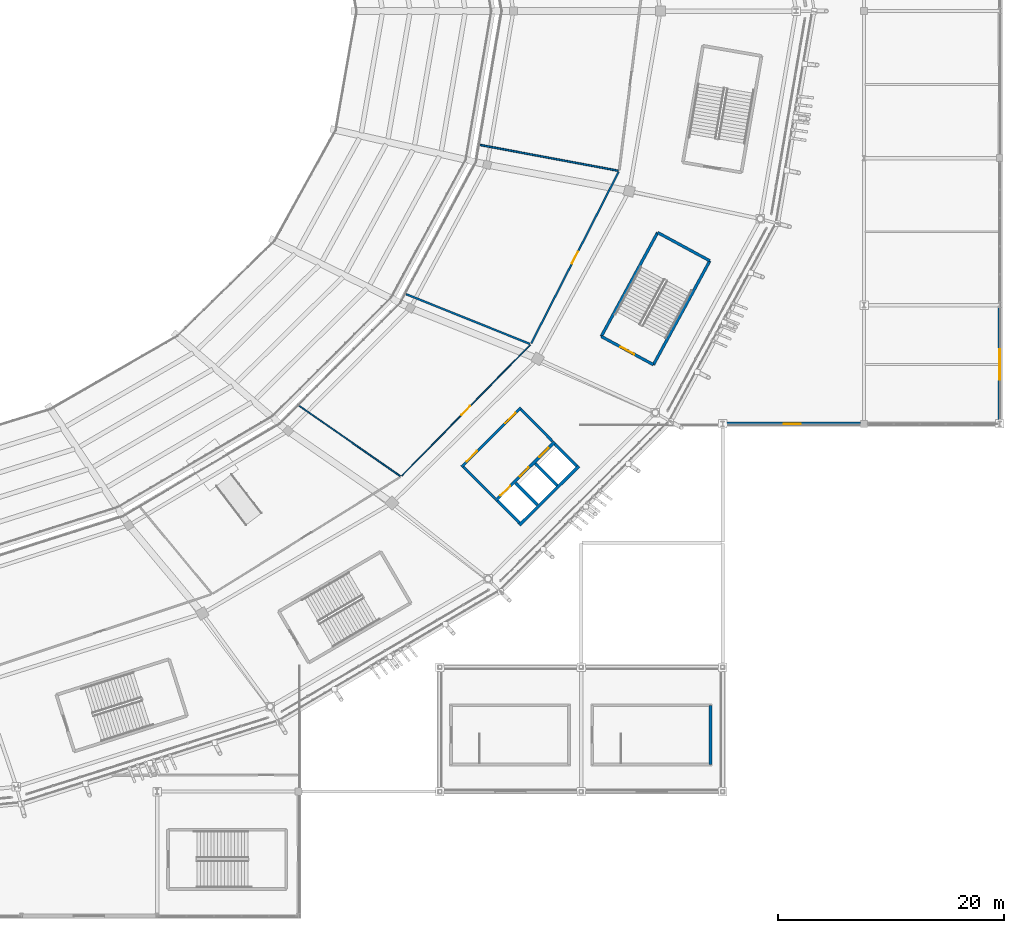
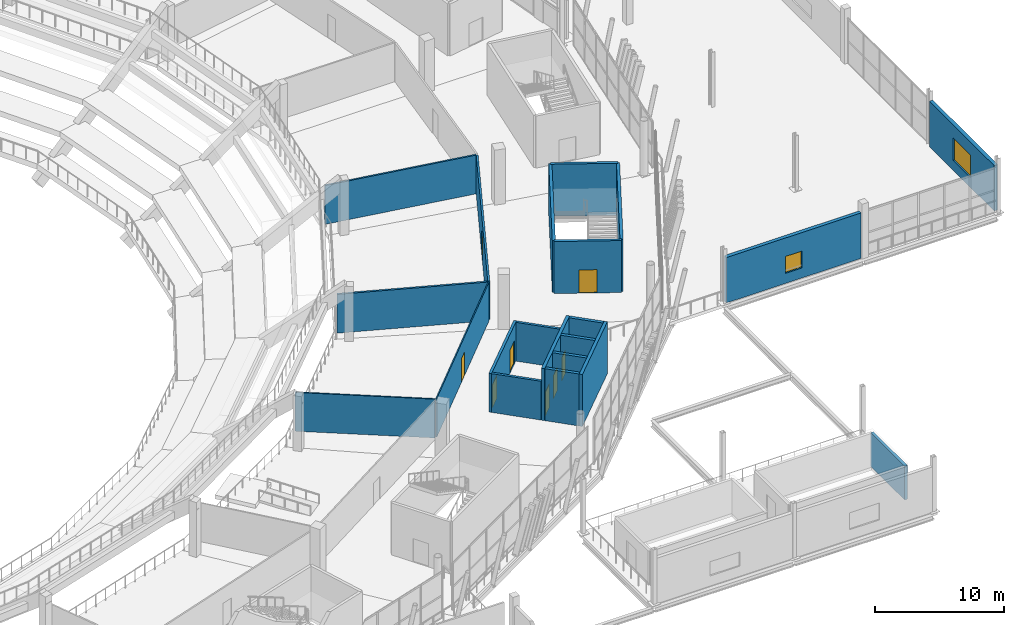
# One storey, part 127 of 178: 21 walls, 8 doors, 2 windows, 10 openings.
"""IFC4 building model written with IfcOpenShell, lengths in metres."""

from ifc_helpers import new_model, si_unit, direction, frame, frame_2d, origin, place, context, subcontext, project, spatial, rectangle, extrude, material, layer, layer_set, type_object, element, fill, save


model = new_model("IFC4")

# Units and contexts
model_context = context("Model", 3, precision=1e-05, world=origin(), true_north=direction((0.0, 1.0)))
body_context = subcontext(model_context, "Body", "Model", "MODEL_VIEW")
ifc_project = project(units=[si_unit("LENGTHUNIT", "METRE"), si_unit("AREAUNIT", "SQUARE_METRE"), si_unit("VOLUMEUNIT", "CUBIC_METRE"), si_unit("PLANEANGLEUNIT", "RADIAN"), si_unit("MASSUNIT", "GRAM", prefix="KILO")], contexts=[model_context])

# Site, building, storey
site_placement = place(None, origin())
site = spatial("IfcSite", under=ifc_project, at=site_placement, CompositionType="ELEMENT")
building_placement = place(site_placement, origin())
building = spatial("IfcBuilding", under=site, at=building_placement, Name="Zlatoyarsky Gate Stadium", CompositionType="ELEMENT")
storey_placement = place(building_placement, frame((0.0, 0.0, 5.39990234375)))
storey = spatial("IfcBuildingStorey", under=building, at=storey_placement, Name="L01", CompositionType="ELEMENT", Elevation=5.39990234375)

# Walls
ifc_material_1 = material(Name="Double-stud acoustic gypsum partition", Category="gypsum")
ifc_layer_1 = layer(ifc_material_1, 0.169921875)
ifc_layer_set_1 = layer_set([ifc_layer_1], Name="Double-stud acoustic gypsum partition")
wall_type_1 = type_object("IfcWallType", Name="ACOUSTIC BROADCAST STUDIO WALL 170", PredefinedType="PARTITIONING", material=ifc_layer_set_1)
wall_1_placement = place(storey_placement, frame((169.51171875, 54.970947265625, 0.0), z_axis=(0.0, 0.0, 1.0), x_axis=(0.927904861535, -0.372817070343, 0.0)))
element("IfcWall", 1, at=wall_1_placement, inside=storey, type_object=wall_type_1, Name="L01 interior partition PRT-L01-IRD-22", PredefinedType="PARTITIONING", context=body_context, shape_type="SweptSolid", body=[
    extrude(rectangle(XDim=11.800537109375, YDim=0.169921875, at=frame_2d((5.900390625, 0.0))), origin(), (0.0, 0.0, 1.0), 3.670166015625),
])
ifc_material_2 = material(Name="Anodised aluminium acoustic operable wall", Category="aluminium")
ifc_layer_2 = layer(ifc_material_2, 0.114990234375)
ifc_layer_set_2 = layer_set([ifc_layer_2], Name="Anodised aluminium acoustic operable wall")
wall_type_2 = type_object("IfcWallType", Name="ACOUSTIC OPERABLE SUITE WALL 115", PredefinedType="MOVABLE", material=ifc_layer_set_2)
wall_2_placement = place(storey_placement, frame((160.05517578125, 45.108154296875, 0.0), z_axis=(0.0, 0.0, 1.0), x_axis=(0.82067943368, -0.571388893079, 0.0)))
element("IfcWall", 2, at=wall_2_placement, inside=storey, type_object=wall_type_2, Name="L01 interior partition PRT-L01-IRD-21", PredefinedType="MOVABLE", context=body_context, shape_type="SweptSolid", body=[
    extrude(rectangle(XDim=10.891357421875, YDim=0.114990234375, at=frame_2d((5.44580078125, 0.0))), origin(), (0.0, 0.0, 1.0), 3.670166015625),
])
ifc_material_3 = material(Name="Metal-stud gypsum partition", Category="gypsum")
ifc_layer_3 = layer(ifc_material_3, 0.14990234375)
ifc_layer_set_3 = layer_set([ifc_layer_3], Name="Metal-stud gypsum partition")
wall_type_3 = type_object("IfcWallType", Name="CONCOURSE CORRIDOR PARTITION 150", PredefinedType="PARTITIONING", material=ifc_layer_set_3)
wall_3_placement = place(storey_placement, frame((176.04248046875, 68.162353515625, 0.0), z_axis=(0.0, 0.0, 1.0), x_axis=(0.983059999048, -0.183284037143, 0.0)))
element("IfcWall", 3, at=wall_3_placement, inside=storey, type_object=wall_type_3, Name="L01 interior partition PRT-L01-IRD-23", PredefinedType="PARTITIONING", context=body_context, shape_type="SweptSolid", body=[
    extrude(rectangle(XDim=12.4306640625, YDim=0.14990234375, at=frame_2d((6.21533203125, 0.0))), origin(), (0.0, 0.0, 1.0), 3.670166015625),
])
ifc_material_4 = material(Name="Concrete C40/50", Category="concrete")
ifc_layer_4 = layer(ifc_material_4, 0.27001953125)
ifc_layer_set_4 = layer_set([ifc_layer_4], Name="Concrete C40/50")
wall_type_4 = type_object("IfcWallType", Name="CONCRETE LIFT SHAFT SHEAR WALL 270", PredefinedType="SHEAR", material=ifc_layer_set_4)
wall_4_placement = place(storey_placement, frame((179.547119140625, 34.556396484375, 0.0), z_axis=(0.0, 0.0, 1.0), x_axis=(0.708902567846, 0.705306422274, 0.0)))
element("IfcWall", 4, at=wall_4_placement, inside=storey, type_object=wall_type_4, Name="C4 L01 lift shaft rear wall", PredefinedType="SHEAR", context=body_context, shape_type="SweptSolid", body=[
    extrude(rectangle(XDim=7.39990234375, YDim=0.27001953125, at=frame_2d((3.699951171875, 0.0))), origin(), (0.0, 0.0, 1.0), 4.920166015625),
])
for number, where, z_axis, x_axis, name in (
    (5, (179.54052734375, 34.75439453125, 0.0), (0.0, 0.0, 1.0), (-0.705322518225, 0.708886553183, 0.0), "C4 L01 lift shaft left wall"),
    (6, (184.594970703125, 39.783203125, 0.0), (0.0, 0.0, 1.0), (-0.705322518225, 0.708886553183, 0.0), "C4 L01 lift shaft right wall"),
    (7, (181.12841796875, 36.334228515625, 0.0), (0.0, 0.0, 1.0), (-0.705322518225, 0.708886553183, 0.0), "C4 L01 lift shaft divider 1"),
    (8, (182.865234375, 38.062255859375, 0.0), (0.0, 0.0, 1.0), (-0.705322518225, 0.708886553183, 0.0), "C4 L01 lift shaft divider 2"),
):
    element("IfcWall", number, at=place(storey_placement, frame(where, z_axis=z_axis, x_axis=x_axis)), inside=storey, type_object=wall_type_4, Name=name, PredefinedType="SHEAR", context=body_context, shape_type="SweptSolid", body=[
        extrude(rectangle(XDim=2.739990234375, YDim=0.27001953125, at=frame_2d((1.3701171875, 0.0))), origin(), (0.0, 0.0, 1.0), 4.920166015625),
    ])

# Wall, openings, doors
wall_5_placement = place(storey_placement, frame((177.409912109375, 36.704345703125, 0.0), z_axis=(0.0, 0.0, 1.0), x_axis=(0.708918979457, 0.705289926602, 0.0)))
wall_5 = element("IfcWall", 9, at=wall_5_placement, inside=storey, type_object=wall_type_4, Name="C4 L01 lift landing front wall", PredefinedType="SHEAR", context=body_context, shape_type="SweptSolid", body=[
    extrude(rectangle(XDim=7.400146484375, YDim=0.27001953125, at=frame_2d((3.7001953125, 0.0))), origin(), (0.0, 0.0, 1.0), 4.920166015625),
])
opening_1_placement = place(wall_5_placement, frame((0.64990234375, 0.0, 0.0)))
opening_1 = element("IfcOpeningElement", 10, at=opening_1_placement, cuts=wall_5, Name="Opening LD-FL-04-L01", PredefinedType="OPENING", context=body_context, shape_type="SweptSolid", body=[
    extrude(rectangle(XDim=1.199951171875, YDim=2.25, at=frame_2d((0.60009765625, 1.125))), frame((0.0, 0.14501953125, 0.0), z_axis=(0.0, -1.0, 0.0), x_axis=(1.0, 0.0, 0.0)), (0.0, 0.0, 1.0), 0.2900390625),
])
opening_2_placement = place(wall_5_placement, frame((3.050048828125, 0.0, 0.0)))
opening_2 = element("IfcOpeningElement", 11, at=opening_2_placement, cuts=wall_5, Name="Opening LD-LF-07-L01", PredefinedType="OPENING", context=body_context, shape_type="SweptSolid", body=[
    extrude(rectangle(XDim=1.10009765625, YDim=2.199951171875, at=frame_2d((0.550048828125, 1.10009765625))), frame((0.0, 0.14501953125, 0.0), z_axis=(0.0, -1.0, 0.0), x_axis=(1.0, 0.0, 0.0)), (0.0, 0.0, 1.0), 0.2900390625),
])
opening_3_placement = place(wall_5_placement, frame((5.5, 0.0, 0.0)))
opening_3 = element("IfcOpeningElement", 12, at=opening_3_placement, cuts=wall_5, Name="Opening LD-LF-08-L01", PredefinedType="OPENING", context=body_context, shape_type="SweptSolid", body=[
    extrude(rectangle(XDim=1.10009765625, YDim=2.199951171875, at=frame_2d((0.550048828125, 1.10009765625))), frame((0.0, 0.14501953125, 0.0), z_axis=(0.0, -1.0, 0.0), x_axis=(1.0, 0.0, 0.0)), (0.0, 0.0, 1.0), 0.2900390625),
])
ifc_material_5 = material(Name="Powder-coated steel fire door", Category="steel")
door_type_1 = type_object("IfcDoorType", Name="STAINLESS LIFT LANDING SLIDING DOOR 1100X2200", OperationType="DOUBLE_DOOR_SLIDING", PredefinedType="DOOR", material=ifc_material_5)
door_1_placement = place(opening_2_placement, origin())
door_1 = element("IfcDoor", 13, at=door_1_placement, inside=storey, type_object=door_type_1, Name="Lift LF-07 L01 sliding landing door", OperationType="DOUBLE_DOOR_SLIDING", OverallHeight=2.199951171875, OverallWidth=1.10009765625, PredefinedType="DOOR", context=body_context, shape_type="SweptSolid", body=[
    extrude(rectangle(XDim=1.10009765625, YDim=2.199951171875, at=frame_2d((0.550048828125, 1.10009765625))), frame((0.0, 0.02490234375, 0.0), z_axis=(0.0, -1.0, 0.0), x_axis=(1.0, 0.0, 0.0)), (0.0, 0.0, 1.0), 0.050048828125),
])
fill(opening_2, door_1)
door_2_placement = place(opening_3_placement, origin())
door_2 = element("IfcDoor", 14, at=door_2_placement, inside=storey, type_object=door_type_1, Name="Lift LF-08 L01 sliding landing door", OperationType="DOUBLE_DOOR_SLIDING", OverallHeight=2.199951171875, OverallWidth=1.10009765625, PredefinedType="DOOR", context=body_context, shape_type="SweptSolid", body=[
    extrude(rectangle(XDim=1.10009765625, YDim=2.199951171875, at=frame_2d((0.550048828125, 1.10009765625))), frame((0.0, 0.02490234375, 0.0), z_axis=(0.0, -1.0, 0.0), x_axis=(1.0, 0.0, 0.0)), (0.0, 0.0, 1.0), 0.050048828125),
])
fill(opening_3, door_2)
door_type_2 = type_object("IfcDoorType", Name="STAINLESS LIFT LANDING SLIDING DOOR 1200X2250", OperationType="DOUBLE_DOOR_SLIDING", PredefinedType="DOOR", material=ifc_material_5)
door_3_placement = place(opening_1_placement, origin())
door_3 = element("IfcDoor", 15, at=door_3_placement, inside=storey, type_object=door_type_2, Name="Lift FL-04 L01 sliding landing door", OperationType="DOUBLE_DOOR_SLIDING", OverallHeight=2.25, OverallWidth=1.199951171875, PredefinedType="DOOR", context=body_context, shape_type="SweptSolid", body=[
    extrude(rectangle(XDim=1.199951171875, YDim=2.25, at=frame_2d((0.60009765625, 1.125))), frame((0.0, 0.02490234375, 0.0), z_axis=(0.0, -1.0, 0.0), x_axis=(1.0, 0.0, 0.0)), (0.0, 0.0, 1.0), 0.050048828125),
])
fill(opening_1, door_3)

# Wall, opening, door
ifc_layer_5 = layer(ifc_material_4, 0.25)
ifc_layer_set_5 = layer_set([ifc_layer_5], Name="Concrete C40/50")
wall_type_5 = type_object("IfcWallType", Name="CONCRETE STAIR CORE SHEAR WALL 250", PredefinedType="SHEAR", material=ifc_layer_set_5)
wall_6_placement = place(storey_placement, frame((186.770263671875, 51.235107421875, 0.0), z_axis=(0.0, 0.0, 1.0), x_axis=(0.878941993928, -0.476928685769, 0.0)))
wall_6 = element("IfcWall", 16, at=wall_6_placement, inside=storey, type_object=wall_type_5, Name="ST-12 L01 stair core entrance shear wall", PredefinedType="SHEAR", context=body_context, shape_type="SweptSolid", body=[
    extrude(rectangle(XDim=5.25, YDim=0.25, at=frame_2d((2.625, 0.0))), origin(), (0.0, 0.0, 1.0), 4.920166015625),
])
opening_4_placement = place(wall_6_placement, frame((1.925048828125, 0.0, 0.0)))
opening_4 = element("IfcOpeningElement", 17, at=opening_4_placement, cuts=wall_6, Name="Opening SD-ST-12-L01", PredefinedType="OPENING", context=body_context, shape_type="SweptSolid", body=[
    extrude(rectangle(XDim=1.39990234375, YDim=2.199951171875, at=frame_2d((0.699951171875, 1.10009765625))), frame((0.0, 0.135009765625, 0.0), z_axis=(0.0, -1.0, 0.0), x_axis=(1.0, 0.0, 0.0)), (0.0, 0.0, 1.0), 0.27001953125),
])
door_type_3 = type_object("IfcDoorType", Name="STAIR CORE FIRE EXIT DOOR 1400X2200", OperationType="NOTDEFINED", PredefinedType="DOOR", material=ifc_material_5)
door_4_placement = place(opening_4_placement, frame((1.39990234375, 0.0, 0.0), z_axis=(0.0, 0.0, 1.0), x_axis=(-1.0, 0.0, 0.0)))
door_4 = element("IfcDoor", 18, at=door_4_placement, inside=storey, type_object=door_type_3, Name="ST-12 L01 stair fire door", OperationType="SINGLE_SWING_RIGHT", OverallHeight=2.199951171875, OverallWidth=1.39990234375, PredefinedType="DOOR", context=body_context, shape_type="SweptSolid", body=[
    extrude(rectangle(XDim=1.39990234375, YDim=2.199951171875, at=frame_2d((0.699951171875, 1.10009765625))), frame((0.0, 0.02490234375, 0.0), z_axis=(0.0, -1.0, 0.0), x_axis=(1.0, 0.0, 0.0)), (0.0, 0.0, 1.0), 0.050048828125),
])
fill(opening_4, door_4)

# Walls
wall_7_placement = place(storey_placement, frame((191.384765625, 48.731201171875, 0.0), z_axis=(0.0, 0.0, 1.0), x_axis=(0.476876856974, 0.878970115125, 0.0)))
element("IfcWall", 19, at=wall_7_placement, inside=storey, type_object=wall_type_5, Name="ST-12 L01 stair core left shear wall", PredefinedType="SHEAR", context=body_context, shape_type="SweptSolid", body=[
    extrude(rectangle(XDim=10.4501953125, YDim=0.25, at=frame_2d((5.22509765625, 0.0))), origin(), (0.0, 0.0, 1.0), 4.920166015625),
])
wall_8_placement = place(storey_placement, frame((196.3681640625, 57.91650390625, 0.0), z_axis=(0.0, 0.0, 1.0), x_axis=(-0.878961487093, 0.47689275965, 0.0)))
element("IfcWall", 20, at=wall_8_placement, inside=storey, type_object=wall_type_5, Name="ST-12 L01 stair core far shear wall", PredefinedType="SHEAR", context=body_context, shape_type="SweptSolid", body=[
    extrude(rectangle(XDim=5.25, YDim=0.25, at=frame_2d((2.625, 0.0))), origin(), (0.0, 0.0, 1.0), 4.920166015625),
])
wall_9_placement = place(storey_placement, frame((191.753662109375, 60.420166015625, 0.0), z_axis=(0.0, 0.0, 1.0), x_axis=(-0.476886649814, -0.878964802042, 0.0)))
element("IfcWall", 21, at=wall_9_placement, inside=storey, type_object=wall_type_5, Name="ST-12 L01 stair core right shear wall", PredefinedType="SHEAR", context=body_context, shape_type="SweptSolid", body=[
    extrude(rectangle(XDim=10.449951171875, YDim=0.25, at=frame_2d((5.22509765625, 0.0))), origin(), (0.0, 0.0, 1.0), 4.920166015625),
])
wall_10_placement = place(storey_placement, frame((196.425048828125, 13.375, 0.0), z_axis=(0.0, 0.0, 1.0), x_axis=(0.0, 1.0, 0.0)))
element("IfcWall", 22, at=wall_10_placement, inside=storey, type_object=wall_type_5, Name="ST-24 L01 stair core far shear wall", PredefinedType="SHEAR", context=body_context, shape_type="SweptSolid", body=[
    extrude(rectangle(XDim=5.25, YDim=0.25, at=frame_2d((2.625, 0.0))), origin(), (0.0, 0.0, 1.0), 3.2001953125),
])
ifc_material_6 = material(Name="Autoclaved aerated concrete masonry EI 120", Category="masonry")
ifc_layer_6 = layer(ifc_material_6, 0.219970703125)
ifc_layer_set_6 = layer_set([ifc_layer_6], Name="Autoclaved aerated concrete masonry EI 120")
wall_type_6 = type_object("IfcWallType", Name="FIREFIGHTING LOBBY RATED WALL 220", PredefinedType="PARTITIONING", material=ifc_layer_set_6)
for number, where, z_axis, x_axis, name in (
    (23, (177.378662109375, 36.8916015625, 0.0), (0.0, 0.0, 1.0), (-0.705294916294, 0.708914015273, 0.0), "C4 L01 firefighting lobby left wall"),
    (24, (182.468505859375, 41.955810546875, 0.0), (0.0, 0.0, 1.0), (-0.705294916294, 0.708914015273, 0.0), "C4 L01 firefighting lobby right wall"),
):
    element("IfcWall", number, at=place(storey_placement, frame(where, z_axis=z_axis, x_axis=x_axis)), inside=storey, type_object=wall_type_6, Name=name, PredefinedType="PARTITIONING", context=body_context, shape_type="SweptSolid", body=[
        extrude(rectangle(XDim=3.97998046875, YDim=0.219970703125, at=frame_2d((1.989990234375, 0.0))), origin(), (0.0, 0.0, 1.0), 3.670166015625),
    ])

# Wall, openings, doors
wall_11_placement = place(storey_placement, frame((174.416015625, 39.713623046875, 0.0), z_axis=(0.0, 0.0, 1.0), x_axis=(0.708902567846, 0.705306422274, 0.0)))
wall_11 = element("IfcWall", 25, at=wall_11_placement, inside=storey, type_object=wall_type_6, Name="C4 L01 firefighting lobby front wall", PredefinedType="PARTITIONING", context=body_context, shape_type="SweptSolid", body=[
    extrude(rectangle(XDim=7.39990234375, YDim=0.219970703125, at=frame_2d((3.699951171875, 0.0))), origin(), (0.0, 0.0, 1.0), 3.670166015625),
])
opening_5_placement = place(wall_11_placement, frame((0.64990234375, 0.0, 0.0)))
opening_5 = element("IfcOpeningElement", 26, at=opening_5_placement, cuts=wall_11, Name="Opening FD-C4-L01-A", PredefinedType="OPENING", context=body_context, shape_type="SweptSolid", body=[
    extrude(rectangle(XDim=1.300048828125, YDim=2.199951171875, at=frame_2d((0.64990234375, 1.10009765625))), frame((0.0, 0.119873046875, 0.0), z_axis=(0.0, -1.0, 0.0), x_axis=(1.0, 0.0, 0.0)), (0.0, 0.0, 1.0), 0.239990234375),
])
opening_6_placement = place(wall_11_placement, frame((5.449951171875, 0.0, 0.0)))
opening_6 = element("IfcOpeningElement", 27, at=opening_6_placement, cuts=wall_11, Name="Opening FD-C4-L01-B", PredefinedType="OPENING", context=body_context, shape_type="SweptSolid", body=[
    extrude(rectangle(XDim=1.300048828125, YDim=2.199951171875, at=frame_2d((0.64990234375, 1.10009765625))), frame((0.0, 0.119873046875, 0.0), z_axis=(0.0, -1.0, 0.0), x_axis=(1.0, 0.0, 0.0)), (0.0, 0.0, 1.0), 0.239990234375),
])
door_type_4 = type_object("IfcDoorType", Name="FIREFIGHTING LOBBY FIRE DOOR 1300X2200", OperationType="NOTDEFINED", PredefinedType="DOOR", material=ifc_material_5)
door_5_placement = place(opening_5_placement, origin())
door_5 = element("IfcDoor", 28, at=door_5_placement, inside=storey, type_object=door_type_4, Name="C4 L01 firefighting lobby fire door FD-C4-L01-A", OperationType="SINGLE_SWING_LEFT", OverallHeight=2.199951171875, OverallWidth=1.300048828125, PredefinedType="DOOR", context=body_context, shape_type="SweptSolid", body=[
    extrude(rectangle(XDim=1.300048828125, YDim=2.199951171875, at=frame_2d((0.64990234375, 1.10009765625))), frame((0.0, 0.02490234375, 0.0), z_axis=(0.0, -1.0, 0.0), x_axis=(1.0, 0.0, 0.0)), (0.0, 0.0, 1.0), 0.050048828125),
])
fill(opening_5, door_5)
door_6_placement = place(opening_6_placement, origin())
door_6 = element("IfcDoor", 29, at=door_6_placement, inside=storey, type_object=door_type_4, Name="C4 L01 firefighting lobby fire door FD-C4-L01-B", OperationType="SINGLE_SWING_RIGHT", OverallHeight=2.199951171875, OverallWidth=1.300048828125, PredefinedType="DOOR", context=body_context, shape_type="SweptSolid", body=[
    extrude(rectangle(XDim=1.300048828125, YDim=2.199951171875, at=frame_2d((0.64990234375, 1.10009765625))), frame((0.0, 0.02490234375, 0.0), z_axis=(0.0, -1.0, 0.0), x_axis=(1.0, 0.0, 0.0)), (0.0, 0.0, 1.0), 0.050048828125),
])
fill(opening_6, door_6)

# Wall, opening, door
ifc_material_7 = material(Name="Timber-veneered acoustic operable partition", Category="wood")
ifc_layer_7 = layer(ifc_material_7, 0.094970703125)
ifc_layer_set_7 = layer_set([ifc_layer_7], Name="Timber-veneered acoustic operable partition")
wall_type_7 = type_object("IfcWallType", Name="FOLDING BANQUET SALON WALL 95", PredefinedType="MOVABLE", material=ifc_layer_set_7)
wall_12_placement = place(storey_placement, frame((169.122802734375, 38.897216796875, 0.0), z_axis=(0.0, 0.0, 1.0), x_axis=(0.700172522452, 0.713973696157, 0.0)))
wall_12 = element("IfcWall", 30, at=wall_12_placement, inside=storey, type_object=wall_type_7, Name="L01 interior partition PRT-L01-ICC-21", PredefinedType="MOVABLE", context=body_context, shape_type="SweptSolid", body=[
    extrude(rectangle(XDim=16.2216796875, YDim=0.094970703125, at=frame_2d((8.11083984375, 0.0))), origin(), (0.0, 0.0, 1.0), 3.670166015625),
])
opening_7_placement = place(wall_12_placement, frame((7.57080078125, 0.0, 0.0)))
opening_7 = element("IfcOpeningElement", 31, at=opening_7_placement, cuts=wall_12, Name="Opening D-L01-269", PredefinedType="OPENING", context=body_context, shape_type="SweptSolid", body=[
    extrude(rectangle(XDim=1.080078125, YDim=2.239990234375, at=frame_2d((0.5400390625, 1.1201171875))), frame((0.0, 0.057373046875, 0.0), z_axis=(0.0, -1.0, 0.0), x_axis=(1.0, 0.0, 0.0)), (0.0, 0.0, 1.0), 0.114990234375),
])
ifc_material_8 = material(Name="Solid-core oak veneer acoustic door", Category="wood")
door_type_5 = type_object("IfcDoorType", Name="ACOUSTIC INTERIOR DOOR 1080X2240", OperationType="NOTDEFINED", PredefinedType="DOOR", material=ifc_material_8)
door_7_placement = place(opening_7_placement, origin())
door_7 = element("IfcDoor", 32, at=door_7_placement, inside=storey, type_object=door_type_5, Name="L01 room door D-L01-269", OperationType="SINGLE_SWING_RIGHT", OverallHeight=2.239990234375, OverallWidth=1.080078125, PredefinedType="DOOR", context=body_context, shape_type="SweptSolid", body=[
    extrude(rectangle(XDim=1.080078125, YDim=2.239990234375, at=frame_2d((0.5400390625, 1.1201171875))), frame((0.0, 0.02490234375, 0.0), z_axis=(0.0, -1.0, 0.0), x_axis=(1.0, 0.0, 0.0)), (0.0, 0.0, 1.0), 0.050048828125),
])
fill(opening_7, door_7)

ifc_material_9 = material(Name="Acoustic metal-stud gypsum partition", Category="gypsum")
ifc_layer_8 = layer(ifc_material_9, 0.159912109375)
ifc_layer_set_8 = layer_set([ifc_layer_8], Name="Acoustic metal-stud gypsum partition")
wall_type_8 = type_object("IfcWallType", Name="HOSPITALITY SUITE PARTITION 160", PredefinedType="PARTITIONING", material=ifc_layer_set_8)
wall_13_placement = place(storey_placement, frame((180.578857421875, 50.615478515625, 0.0), z_axis=(0.0, 0.0, 1.0), x_axis=(0.453783837631, 0.891111793606, 0.0)))
wall_13 = element("IfcWall", 33, at=wall_13_placement, inside=storey, type_object=wall_type_8, Name="L01 vomitory portal wall PRT-L01-ICC-22", PredefinedType="PARTITIONING", context=body_context, shape_type="SweptSolid", body=[
    extrude(rectangle(XDim=17.03173828125, YDim=0.159912109375, at=frame_2d((8.515869140625, 0.0))), origin(), (0.0, 0.0, 1.0), 3.670166015625),
])
opening_8_placement = place(wall_13_placement, frame((7.935791015625, 0.0, 0.0)))
opening_8 = element("IfcOpeningElement", 34, at=opening_8_placement, cuts=wall_13, Name="Opening D-L01-271", PredefinedType="OPENING", context=body_context, shape_type="SweptSolid", body=[
    extrude(rectangle(XDim=1.159912109375, YDim=2.239990234375, at=frame_2d((0.580078125, 1.1201171875))), frame((0.0, 0.08984375, 0.0), z_axis=(0.0, -1.0, 0.0), x_axis=(1.0, 0.0, 0.0)), (0.0, 0.0, 1.0), 0.179931640625),
])
door_type_6 = type_object("IfcDoorType", Name="ACOUSTIC INTERIOR DOOR 1160X2240", OperationType="NOTDEFINED", PredefinedType="DOOR", material=ifc_material_5)
door_8_placement = place(opening_8_placement, origin())
door_8 = element("IfcDoor", 35, at=door_8_placement, inside=storey, type_object=door_type_6, Name="L01 vomitory portal door D-L01-271", OperationType="SINGLE_SWING_LEFT", OverallHeight=2.239990234375, OverallWidth=1.159912109375, PredefinedType="DOOR", context=body_context, shape_type="SweptSolid", body=[
    extrude(rectangle(XDim=1.159912109375, YDim=2.239990234375, at=frame_2d((0.580078125, 1.1201171875))), frame((0.0, 0.02490234375, 0.0), z_axis=(0.0, -1.0, 0.0), x_axis=(1.0, 0.0, 0.0)), (0.0, 0.0, 1.0), 0.050048828125),
])
fill(opening_8, door_8)

# Wall, opening, window
ifc_material_10 = material(Name="Precast concrete C40/50 architectural panel", Category="concrete")
ifc_layer_9 = layer(ifc_material_10, 0.320068359375)
ifc_layer_set_9 = layer_set([ifc_layer_9], Name="Precast concrete C40/50 architectural panel")
wall_type_9 = type_object("IfcWallType", Name="PRECAST TERRACOTTA FACADE WALL 320", PredefinedType="STANDARD", material=ifc_layer_set_9)
wall_14_placement = place(storey_placement, frame((222.0, 43.721923828125, 0.0), z_axis=(0.0, 0.0, 1.0), x_axis=(0.0, 1.0, 0.0)))
wall_14 = element("IfcWall", 36, at=wall_14_placement, inside=storey, type_object=wall_type_9, Name="V5_EAST L01 E_LO exterior wall", PredefinedType="STANDARD", context=body_context, shape_type="SweptSolid", body=[
    extrude(rectangle(XDim=10.05615234375, YDim=0.320068359375, at=frame_2d((5.028076171875, 0.0))), origin(), (0.0, 0.0, 1.0), 4.300048828125),
])
opening_9_placement = place(wall_14_placement, frame((3.677978515625, 0.0, 0.949951171875)))
opening_9 = element("IfcOpeningElement", 37, at=opening_9_placement, cuts=wall_14, Name="Opening WN-24", PredefinedType="OPENING", context=body_context, shape_type="SweptSolid", body=[
    extrude(rectangle(XDim=2.699951171875, YDim=2.10009765625, at=frame_2d((1.35009765625, 1.050048828125))), frame((0.0, 0.169921875, 0.0), z_axis=(0.0, -1.0, 0.0), x_axis=(1.0, 0.0, 0.0)), (0.0, 0.0, 1.0), 0.340087890625),
])
ifc_material_11 = material(Name="Triple-glazed thermally broken aluminium window", Category="aluminium")
window_type_1 = type_object("IfcWindowType", Name="TRIPLE GLAZED ALUMINIUM WINDOW 2700X2100", PartitioningType="SINGLE_PANEL", PredefinedType="WINDOW", material=ifc_material_11)
window_1_placement = place(opening_9_placement, origin())
window_1 = element("IfcWindow", 38, at=window_1_placement, inside=storey, type_object=window_type_1, Name="Exterior window WIN-L01-052", OverallHeight=2.10009765625, OverallWidth=2.699951171875, PartitioningType="SINGLE_PANEL", PredefinedType="WINDOW", context=body_context, shape_type="SweptSolid", body=[
    extrude(rectangle(XDim=2.699951171875, YDim=2.10009765625, at=frame_2d((1.35009765625, 1.050048828125))), frame((0.0, 0.030029296875, 0.0), z_axis=(0.0, -1.0, 0.0), x_axis=(1.0, 0.0, 0.0)), (0.0, 0.0, 1.0), 0.06005859375),
])
fill(opening_9, window_1)

wall_15_placement = place(storey_placement, frame((197.64697265625, 43.5, 0.0), z_axis=(0.0, 0.0, 1.0), x_axis=(1.0, 0.0, 0.0)))
wall_15 = element("IfcWall", 39, at=wall_15_placement, inside=storey, type_object=wall_type_9, Name="V5_EAST L01 S exterior wall", PredefinedType="STANDARD", context=body_context, shape_type="SweptSolid", body=[
    extrude(rectangle(XDim=12.055908203125, YDim=0.320068359375, at=frame_2d((6.02783203125, 0.0))), origin(), (0.0, 0.0, 1.0), 4.300048828125),
])
opening_10_placement = place(wall_15_placement, frame((5.278076171875, 0.0, 0.949951171875)))
opening_10 = element("IfcOpeningElement", 40, at=opening_10_placement, cuts=wall_15, Name="Opening WN-06", PredefinedType="OPENING", context=body_context, shape_type="SweptSolid", body=[
    extrude(rectangle(XDim=1.5, YDim=1.60009765625, at=frame_2d((0.75, 0.800048828125))), frame((0.0, 0.169921875, 0.0), z_axis=(0.0, -1.0, 0.0), x_axis=(1.0, 0.0, 0.0)), (0.0, 0.0, 1.0), 0.340087890625),
])
window_type_2 = type_object("IfcWindowType", Name="TRIPLE GLAZED ALUMINIUM WINDOW 1500X1600", PartitioningType="SINGLE_PANEL", PredefinedType="WINDOW", material=ifc_material_11)
window_2_placement = place(opening_10_placement, origin())
window_2 = element("IfcWindow", 41, at=window_2_placement, inside=storey, type_object=window_type_2, Name="Exterior window WIN-L01-062", OverallHeight=1.60009765625, OverallWidth=1.5, PartitioningType="SINGLE_PANEL", PredefinedType="WINDOW", context=body_context, shape_type="SweptSolid", body=[
    extrude(rectangle(XDim=1.5, YDim=1.60009765625, at=frame_2d((0.75, 0.800048828125))), frame((0.0, 0.030029296875, 0.0), z_axis=(0.0, -1.0, 0.0), x_axis=(1.0, 0.0, 0.0)), (0.0, 0.0, 1.0), 0.06005859375),
])
fill(opening_10, window_2)

save(model, "model.ifc")
